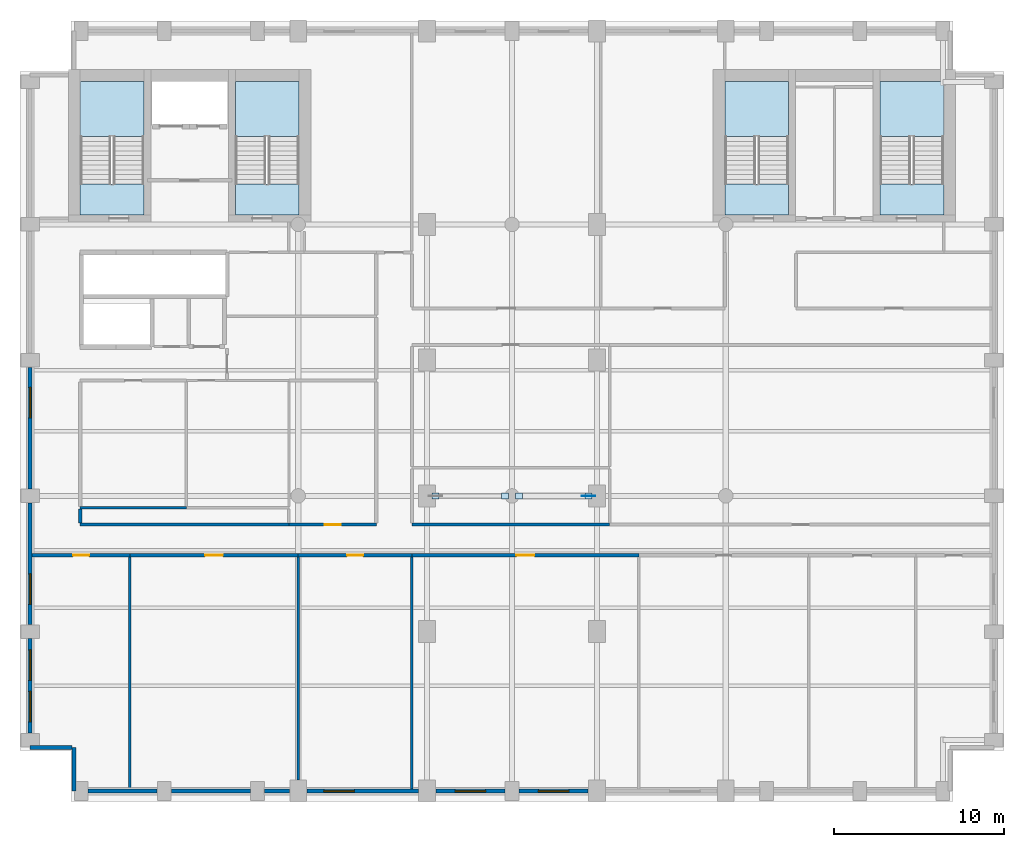
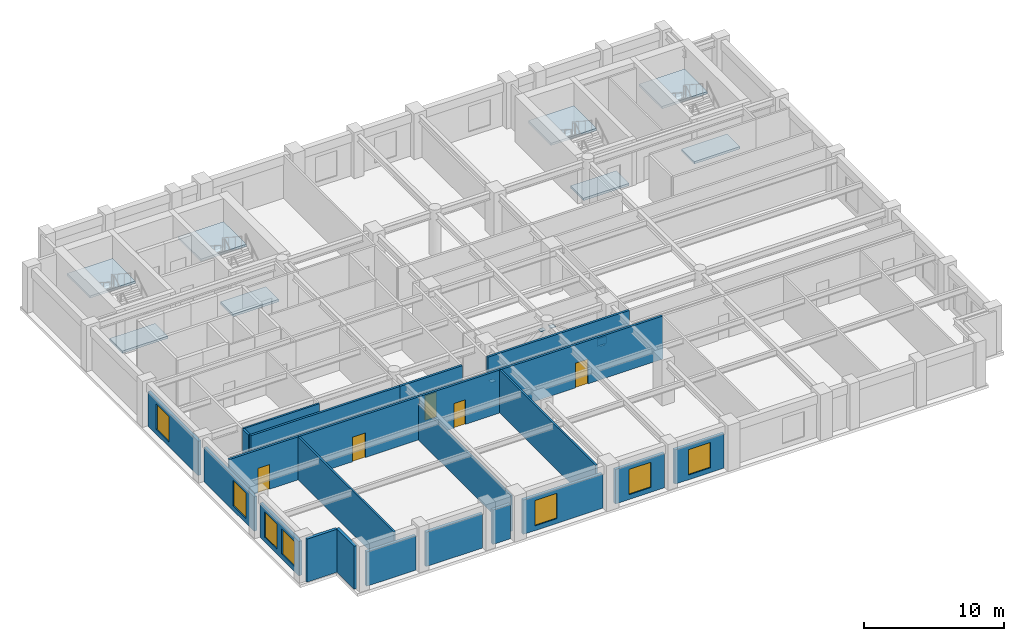
# One storey, part 4 of 10: 23 walls, 8 slabs, 7 windows, 5 doors, 5 plates, 12 openings, 4 elements without a shape of their own.
"""IFC4 building model written with IfcOpenShell, lengths in metres."""

from ifc_helpers import new_model, si_unit, direction, frame, frame_2d, origin, origin_2d, place, context, subcontext, project, spatial, polyline, rectangle, outline, extrude, material, layer, layer_set, type_object, element, fill, aggregate, save


model = new_model("IFC4")

# Units and contexts
model_context = context("Model", 3, precision=1e-05, world=origin(), true_north=direction((0.0, 1.0)))
body_context = subcontext(model_context, "Body", "Model", "MODEL_VIEW")
ifc_project = project(units=[si_unit("LENGTHUNIT", "METRE"), si_unit("AREAUNIT", "SQUARE_METRE"), si_unit("VOLUMEUNIT", "CUBIC_METRE"), si_unit("PLANEANGLEUNIT", "RADIAN"), si_unit("MASSUNIT", "GRAM", prefix="KILO")], contexts=[model_context])

# Site, building, storey
site_placement = place(None, origin())
site = spatial("IfcSite", under=ifc_project, at=site_placement, CompositionType="ELEMENT")
building_placement = place(site_placement, origin())
building = spatial("IfcBuilding", under=site, at=building_placement, Name="Sulina Concourse Tower", CompositionType="ELEMENT")
storey_placement = place(building_placement, frame((0.0, 0.0, 206.60009765625)))
storey = spatial("IfcBuildingStorey", under=building, at=storey_placement, Name="L50", CompositionType="ELEMENT", Elevation=206.60009765625)

# Slabs
ifc_material_1 = material(Name="Concrete C50/60", Category="concrete")
ifc_layer_1 = layer(ifc_material_1, 0.199951171875)
ifc_layer_set_1 = layer_set([ifc_layer_1], Name="Concrete C50/60")
slab_type = type_object("IfcSlabType", Name="Primary Core Stair Landing Slab 200mm", PredefinedType="LANDING", material=ifc_layer_set_1)
slab_1_placement = place(storey_placement, frame((0.0, 0.0, -0.2001953125)))
element("IfcSlab", 1, at=slab_1_placement, inside=storey, type_object=slab_type, Name="L50 ST-1 floor landing slab", PredefinedType="LANDING", context=body_context, shape_type="SweptSolid", body=[
    extrude(outline(polyline([(7.31005859375, 34.550048828125), (7.31005859375, 36.375), (3.550048828125, 36.375), (3.550048828125, 34.550048828125), (7.31005859375, 34.550048828125)])), origin(), (0.0, 0.0, 1.0), 0.2001953125),
])
slab_2_placement = place(storey_placement, frame((0.0, 0.0, -0.2001953125)))
element("IfcSlab", 2, at=slab_2_placement, inside=storey, type_object=slab_type, Name="L50 ST-2 floor landing slab", PredefinedType="LANDING", context=body_context, shape_type="SweptSolid", body=[
    extrude(outline(polyline([(16.449951171875, 34.550048828125), (16.449951171875, 36.375), (12.68994140625, 36.375), (12.68994140625, 34.550048828125), (16.449951171875, 34.550048828125)])), origin(), (0.0, 0.0, 1.0), 0.2001953125),
])
slab_3_placement = place(storey_placement, frame((0.0, 0.0, -0.2001953125)))
element("IfcSlab", 3, at=slab_3_placement, inside=storey, type_object=slab_type, Name="L50 ST-3 floor landing slab", PredefinedType="LANDING", context=body_context, shape_type="SweptSolid", body=[
    extrude(outline(polyline([(45.31005859375, 34.550048828125), (45.31005859375, 36.375), (41.550048828125, 36.375), (41.550048828125, 34.550048828125), (45.31005859375, 34.550048828125)])), origin(), (0.0, 0.0, 1.0), 0.2001953125),
])
slab_4_placement = place(storey_placement, frame((0.0, 0.0, -0.2001953125)))
element("IfcSlab", 4, at=slab_4_placement, inside=storey, type_object=slab_type, Name="L50 ST-4 floor landing slab", PredefinedType="LANDING", context=body_context, shape_type="SweptSolid", body=[
    extrude(outline(polyline([(54.449951171875, 34.550048828125), (54.449951171875, 36.375), (50.68994140625, 36.375), (50.68994140625, 34.550048828125), (54.449951171875, 34.550048828125)])), origin(), (0.0, 0.0, 1.0), 0.2001953125),
])

# Stair, slab
ifc_material_2 = material(Name="Concrete C50/60", Category="concrete")
stair_type_1 = type_object("IfcStairType", Name="Primary Core Dog-Leg Exit Stair 1800mm", PredefinedType="HALF_TURN_STAIR", material=ifc_material_2)
stair_1_placement = place(storey_placement, origin())
stair_1 = element("IfcStair", 5, at=stair_1_placement, inside=storey, type_object=stair_type_1, Name="L50 ST-1", PredefinedType="HALF_TURN_STAIR")
slab_5_placement = place(storey_placement, frame((0.0, 0.0, 1.7998046875)))
slab_5 = element("IfcSlab", 6, at=slab_5_placement, type_object=slab_type, Name="ST-1 landing 1", PredefinedType="LANDING", context=body_context, shape_type="SweptSolid", body=[
    extrude(outline(polyline([(7.304931640625, 39.175048828125), (7.304931640625, 42.425048828125), (3.554931640625, 42.425048828125), (3.554931640625, 39.175048828125), (7.304931640625, 39.175048828125)])), origin(), (0.0, 0.0, 1.0), 0.2001953125),
])
aggregate(stair_1, [slab_5])

stair_2_placement = place(storey_placement, origin())
stair_2 = element("IfcStair", 7, at=stair_2_placement, inside=storey, type_object=stair_type_1, Name="L50 ST-2", PredefinedType="HALF_TURN_STAIR")
slab_6_placement = place(storey_placement, frame((0.0, 0.0, 1.7998046875)))
slab_6 = element("IfcSlab", 8, at=slab_6_placement, type_object=slab_type, Name="ST-2 landing 1", PredefinedType="LANDING", context=body_context, shape_type="SweptSolid", body=[
    extrude(outline(polyline([(16.445068359375, 39.175048828125), (16.445068359375, 42.425048828125), (12.695068359375, 42.425048828125), (12.695068359375, 39.175048828125), (16.445068359375, 39.175048828125)])), origin(), (0.0, 0.0, 1.0), 0.2001953125),
])
aggregate(stair_2, [slab_6])

ifc_material_3 = material(Name="Concrete C50/60", Category="concrete")
stair_type_2 = type_object("IfcStairType", Name="Portal & Podium Core Exit Stair 1820mm", PredefinedType="HALF_TURN_STAIR", material=ifc_material_3)
stair_3_placement = place(storey_placement, origin())
stair_3 = element("IfcStair", 9, at=stair_3_placement, inside=storey, type_object=stair_type_2, Name="L50 ST-3", PredefinedType="HALF_TURN_STAIR")
slab_7_placement = place(storey_placement, frame((0.0, 0.0, 1.7998046875)))
slab_7 = element("IfcSlab", 10, at=slab_7_placement, type_object=slab_type, Name="ST-3 landing 1", PredefinedType="LANDING", context=body_context, shape_type="SweptSolid", body=[
    extrude(outline(polyline([(45.304931640625, 39.175048828125), (45.304931640625, 42.425048828125), (41.554931640625, 42.425048828125), (41.554931640625, 39.175048828125), (45.304931640625, 39.175048828125)])), origin(), (0.0, 0.0, 1.0), 0.2001953125),
])
aggregate(stair_3, [slab_7])

stair_4_placement = place(storey_placement, origin())
stair_4 = element("IfcStair", 11, at=stair_4_placement, inside=storey, type_object=stair_type_2, Name="L50 ST-4", PredefinedType="HALF_TURN_STAIR")
slab_8_placement = place(storey_placement, frame((0.0, 0.0, 1.7998046875)))
slab_8 = element("IfcSlab", 12, at=slab_8_placement, type_object=slab_type, Name="ST-4 landing 1", PredefinedType="LANDING", context=body_context, shape_type="SweptSolid", body=[
    extrude(outline(polyline([(54.445068359375, 39.175048828125), (54.445068359375, 42.425048828125), (50.695068359375, 42.425048828125), (50.695068359375, 39.175048828125), (54.445068359375, 39.175048828125)])), origin(), (0.0, 0.0, 1.0), 0.2001953125),
])
aggregate(stair_4, [slab_8])

# Plates
ifc_material_4 = material(Name="Steel S355", Category="steel")
ifc_layer_2 = layer(ifc_material_4, 0.0400390625)
ifc_layer_set_2 = layer_set([ifc_layer_2], Name="Steel S355")
plate_type_1 = type_object("IfcPlateType", Name="Upper Bridge Node Gusset Plate 40mm", PredefinedType="USERDEFINED", material=ifc_layer_set_2)
plate_placement = place(storey_placement, frame((33.510009765625, 18.0, 0.094970703125), z_axis=(0.0, 0.0, 1.0), x_axis=(1.0, 0.0, 0.0)))
element("IfcPlate", 13, at=plate_placement, inside=storey, type_object=plate_type_1, Name="UBT-DG-2-L50 node gusset plate", ObjectType="GUSSET_PLATE", PredefinedType="USERDEFINED", context=body_context, shape_type="SweptSolid", body=[
    extrude(rectangle(XDim=0.800048828125, YDim=0.0400390625, at=origin_2d()), origin(), (0.0, 0.0, 1.0), 0.64990234375),
])
ifc_material_5 = material(Name="Steel S355", Category="steel")
ifc_layer_3 = layer(ifc_material_5, 0.02001953125)
ifc_layer_set_3 = layer_set([ifc_layer_3], Name="Steel S355")
plate_type_2 = type_object("IfcPlateType", Name="Upper Hollow Brace End-Cap Plate 20mm", PredefinedType="USERDEFINED", material=ifc_layer_set_3)
for number, where, z_axis, x_axis, name in (
    (14, (24.489990234375, 18.0, 0.10986328125), (0.0, 0.0, 1.0), (1.0, 0.0, 0.0), "UBT-DG-1-L50 end cap plate 1"),
    (15, (28.5849609375, 18.0, 3.1298828125), (0.0, 0.0, 1.0), (1.0, 0.0, 0.0), "UBT-DG-1-L50 end cap plate 2"),
    (16, (33.510009765625, 18.0, 0.10986328125), (0.0, 0.0, 1.0), (1.0, 0.0, 0.0), "UBT-DG-2-L50 end cap plate 1"),
    (17, (29.4150390625, 18.0, 3.1298828125), (0.0, 0.0, 1.0), (1.0, 0.0, 0.0), "UBT-DG-2-L50 end cap plate 2"),
):
    element("IfcPlate", number, at=place(storey_placement, frame(where, z_axis=z_axis, x_axis=x_axis)), inside=storey, type_object=plate_type_2, Name=name, ObjectType="CAP_PLATE", PredefinedType="USERDEFINED", context=body_context, shape_type="SweptSolid", body=[
        extrude(rectangle(XDim=0.409912109375, YDim=0.360107421875, at=origin_2d()), origin(), (0.0, 0.0, 1.0), 0.02001953125),
    ])

# Walls
ifc_material_6 = material(Name="Precast concrete C50/60", Category="concrete")
ifc_layer_4 = layer(ifc_material_6, 0.239990234375)
ifc_layer_set_4 = layer_set([ifc_layer_4], Name="Precast concrete C50/60")
wall_type_1 = type_object("IfcWallType", Name="Crown Precast Masonry-Frame Facade Wall 240mm", PredefinedType="SOLIDWALL", material=ifc_layer_set_4)
wall_1_placement = place(storey_placement, frame((8.080078125, 0.60009765625, 0.0), z_axis=(0.0, 0.0, 1.0), x_axis=(-1.0, 0.0, 0.0)))
element("IfcWall", 18, at=wall_1_placement, inside=storey, type_object=wall_type_1, Name="L50 exterior precast wall S1", PredefinedType="SOLIDWALL", context=body_context, shape_type="SweptSolid", body=[
    extrude(rectangle(XDim=4.06005859375, YDim=0.239990234375, at=frame_2d((2.030029296875, 0.0))), origin(), (0.0, 0.0, 1.0), 3.0),
])
wall_2_placement = place(storey_placement, frame((13.580078125, 0.60009765625, 0.0), z_axis=(0.0, 0.0, 1.0), x_axis=(-1.0, 0.0, 0.0)))
element("IfcWall", 19, at=wall_2_placement, inside=storey, type_object=wall_type_1, Name="L50 exterior precast wall S2", PredefinedType="SOLIDWALL", context=body_context, shape_type="SweptSolid", body=[
    extrude(rectangle(XDim=4.66015625, YDim=0.239990234375, at=frame_2d((2.330078125, 0.0))), origin(), (0.0, 0.0, 1.0), 3.0),
])
wall_3_placement = place(storey_placement, frame((15.8798828125, 0.60009765625, 0.0), z_axis=(0.0, 0.0, 1.0), x_axis=(-1.0, 0.0, 0.0)))
element("IfcWall", 20, at=wall_3_placement, inside=storey, type_object=wall_type_1, Name="L50 exterior precast wall S3", PredefinedType="SOLIDWALL", context=body_context, shape_type="SweptSolid", body=[
    extrude(rectangle(XDim=1.4599609375, YDim=0.239990234375, at=frame_2d((0.72998046875, 0.0))), origin(), (0.0, 0.0, 1.0), 3.0),
])

# Wall, opening, window
wall_4_placement = place(storey_placement, frame((23.47998046875, 0.60009765625, 0.0), z_axis=(0.0, 0.0, 1.0), x_axis=(-1.0, 0.0, 0.0)))
wall_4 = element("IfcWall", 21, at=wall_4_placement, inside=storey, type_object=wall_type_1, Name="L50 exterior precast wall S4", PredefinedType="SOLIDWALL", context=body_context, shape_type="SweptSolid", body=[
    extrude(rectangle(XDim=6.56005859375, YDim=0.239990234375, at=frame_2d((3.280029296875, 0.0))), origin(), (0.0, 0.0, 1.0), 3.0),
])
opening_1_placement = place(wall_4_placement, frame((3.773193359375, 0.0, 0.419921875)))
opening_1 = element("IfcOpeningElement", 22, at=opening_1_placement, cuts=wall_4, Name="Opening WN-25", PredefinedType="OPENING", context=body_context, shape_type="SweptSolid", body=[
    extrude(rectangle(XDim=1.800048828125, YDim=2.199951171875, at=frame_2d((0.89990234375, 1.10009765625))), frame((0.0, 0.1298828125, 0.0), z_axis=(0.0, -1.0, 0.0), x_axis=(1.0, 0.0, 0.0)), (0.0, 0.0, 1.0), 0.260009765625),
])
ifc_material_7 = material(Name="Low-E solar double glazing in bronze aluminium", Category="aluminium")
window_type = type_object("IfcWindowType", Name="Punched Masonry-Frame Window 1800x2200", PartitioningType="SINGLE_PANEL", PredefinedType="WINDOW", material=ifc_material_7)
window_1_placement = place(opening_1_placement, origin())
window_1 = element("IfcWindow", 23, at=window_1_placement, inside=storey, type_object=window_type, Name="L50 punched window S4-1", OverallHeight=2.199951171875, OverallWidth=1.800048828125, PartitioningType="SINGLE_PANEL", PredefinedType="WINDOW", context=body_context, shape_type="SweptSolid", body=[
    extrude(rectangle(XDim=1.800048828125, YDim=2.199951171875, at=frame_2d((0.89990234375, 1.10009765625))), frame((0.0, 0.030029296875, 0.0), z_axis=(0.0, -1.0, 0.0), x_axis=(1.0, 0.0, 0.0)), (0.0, 0.0, 1.0), 0.06005859375),
])
fill(opening_1, window_1)

wall_5_placement = place(storey_placement, frame((28.580078125, 0.60009765625, 0.0), z_axis=(0.0, 0.0, 1.0), x_axis=(-1.0, 0.0, 0.0)))
wall_5 = element("IfcWall", 24, at=wall_5_placement, inside=storey, type_object=wall_type_1, Name="L50 exterior precast wall S5", PredefinedType="SOLIDWALL", context=body_context, shape_type="SweptSolid", body=[
    extrude(rectangle(XDim=4.06005859375, YDim=0.239990234375, at=frame_2d((2.030029296875, 0.0))), origin(), (0.0, 0.0, 1.0), 3.0),
])
opening_2_placement = place(wall_5_placement, frame((1.1298828125, 0.0, 0.419921875)))
opening_2 = element("IfcOpeningElement", 25, at=opening_2_placement, cuts=wall_5, Name="Opening WN-25", PredefinedType="OPENING", context=body_context, shape_type="SweptSolid", body=[
    extrude(rectangle(XDim=1.800048828125, YDim=2.199951171875, at=frame_2d((0.89990234375, 1.10009765625))), frame((0.0, 0.1298828125, 0.0), z_axis=(0.0, -1.0, 0.0), x_axis=(1.0, 0.0, 0.0)), (0.0, 0.0, 1.0), 0.260009765625),
])
window_2_placement = place(opening_2_placement, origin())
window_2 = element("IfcWindow", 26, at=window_2_placement, inside=storey, type_object=window_type, Name="L50 punched window S5-1", OverallHeight=2.199951171875, OverallWidth=1.800048828125, PartitioningType="SINGLE_PANEL", PredefinedType="WINDOW", context=body_context, shape_type="SweptSolid", body=[
    extrude(rectangle(XDim=1.800048828125, YDim=2.199951171875, at=frame_2d((0.89990234375, 1.10009765625))), frame((0.0, 0.030029296875, 0.0), z_axis=(0.0, -1.0, 0.0), x_axis=(1.0, 0.0, 0.0)), (0.0, 0.0, 1.0), 0.06005859375),
])
fill(opening_2, window_2)

wall_6_placement = place(storey_placement, frame((33.47998046875, 0.60009765625, 0.0), z_axis=(0.0, 0.0, 1.0), x_axis=(-1.0, 0.0, 0.0)))
wall_6 = element("IfcWall", 27, at=wall_6_placement, inside=storey, type_object=wall_type_1, Name="L50 exterior precast wall S6", PredefinedType="SOLIDWALL", context=body_context, shape_type="SweptSolid", body=[
    extrude(rectangle(XDim=4.06005859375, YDim=0.239990234375, at=frame_2d((2.030029296875, 0.0))), origin(), (0.0, 0.0, 1.0), 3.0),
])
opening_3_placement = place(wall_6_placement, frame((1.1298828125, 0.0, 0.419921875)))
opening_3 = element("IfcOpeningElement", 28, at=opening_3_placement, cuts=wall_6, Name="Opening WN-25", PredefinedType="OPENING", context=body_context, shape_type="SweptSolid", body=[
    extrude(rectangle(XDim=1.800048828125, YDim=2.199951171875, at=frame_2d((0.89990234375, 1.10009765625))), frame((0.0, 0.1298828125, 0.0), z_axis=(0.0, -1.0, 0.0), x_axis=(1.0, 0.0, 0.0)), (0.0, 0.0, 1.0), 0.260009765625),
])
window_3_placement = place(opening_3_placement, origin())
window_3 = element("IfcWindow", 29, at=window_3_placement, inside=storey, type_object=window_type, Name="L50 punched window S6-1", OverallHeight=2.199951171875, OverallWidth=1.800048828125, PartitioningType="SINGLE_PANEL", PredefinedType="WINDOW", context=body_context, shape_type="SweptSolid", body=[
    extrude(rectangle(XDim=1.800048828125, YDim=2.199951171875, at=frame_2d((0.89990234375, 1.10009765625))), frame((0.0, 0.030029296875, 0.0), z_axis=(0.0, -1.0, 0.0), x_axis=(1.0, 0.0, 0.0)), (0.0, 0.0, 1.0), 0.06005859375),
])
fill(opening_3, window_3)

# Wall, openings, windows
wall_7_placement = place(storey_placement, frame((0.60009765625, 4.02001953125, 0.0), z_axis=(0.0, 0.0, 1.0), x_axis=(0.0, 1.0, 0.0)))
wall_7 = element("IfcWall", 30, at=wall_7_placement, inside=storey, type_object=wall_type_1, Name="L50 exterior precast wall W1", PredefinedType="SOLIDWALL", context=body_context, shape_type="SweptSolid", body=[
    extrude(rectangle(XDim=5.56005859375, YDim=0.239990234375, at=frame_2d((2.780029296875, 0.0))), origin(), (0.0, 0.0, 1.0), 3.0),
])
opening_4_placement = place(wall_7_placement, frame((0.6533203125, 0.0, 0.419921875)))
opening_4 = element("IfcOpeningElement", 31, at=opening_4_placement, cuts=wall_7, Name="Opening WN-25", PredefinedType="OPENING", context=body_context, shape_type="SweptSolid", body=[
    extrude(rectangle(XDim=1.800048828125, YDim=2.199951171875, at=frame_2d((0.89990234375, 1.10009765625))), frame((0.0, 0.1298828125, 0.0), z_axis=(0.0, -1.0, 0.0), x_axis=(1.0, 0.0, 0.0)), (0.0, 0.0, 1.0), 0.260009765625),
])
opening_5_placement = place(wall_7_placement, frame((3.106689453125, 0.0, 0.419921875)))
opening_5 = element("IfcOpeningElement", 32, at=opening_5_placement, cuts=wall_7, Name="Opening WN-25", PredefinedType="OPENING", context=body_context, shape_type="SweptSolid", body=[
    extrude(rectangle(XDim=1.800048828125, YDim=2.199951171875, at=frame_2d((0.89990234375, 1.10009765625))), frame((0.0, 0.1298828125, 0.0), z_axis=(0.0, -1.0, 0.0), x_axis=(1.0, 0.0, 0.0)), (0.0, 0.0, 1.0), 0.260009765625),
])
window_4_placement = place(opening_4_placement, origin())
window_4 = element("IfcWindow", 33, at=window_4_placement, inside=storey, type_object=window_type, Name="L50 punched window W1-1", OverallHeight=2.199951171875, OverallWidth=1.800048828125, PartitioningType="SINGLE_PANEL", PredefinedType="WINDOW", context=body_context, shape_type="SweptSolid", body=[
    extrude(rectangle(XDim=1.800048828125, YDim=2.199951171875, at=frame_2d((0.89990234375, 1.10009765625))), frame((0.0, 0.030029296875, 0.0), z_axis=(0.0, -1.0, 0.0), x_axis=(1.0, 0.0, 0.0)), (0.0, 0.0, 1.0), 0.06005859375),
])
fill(opening_4, window_4)
window_5_placement = place(opening_5_placement, origin())
window_5 = element("IfcWindow", 34, at=window_5_placement, inside=storey, type_object=window_type, Name="L50 punched window W1-2", OverallHeight=2.199951171875, OverallWidth=1.800048828125, PartitioningType="SINGLE_PANEL", PredefinedType="WINDOW", context=body_context, shape_type="SweptSolid", body=[
    extrude(rectangle(XDim=1.800048828125, YDim=2.199951171875, at=frame_2d((0.89990234375, 1.10009765625))), frame((0.0, 0.030029296875, 0.0), z_axis=(0.0, -1.0, 0.0), x_axis=(1.0, 0.0, 0.0)), (0.0, 0.0, 1.0), 0.06005859375),
])
fill(opening_5, window_5)

# Wall, opening, window
wall_8_placement = place(storey_placement, frame((0.60009765625, 10.419921875, 0.0), z_axis=(0.0, 0.0, 1.0), x_axis=(0.0, 1.0, 0.0)))
wall_8 = element("IfcWall", 35, at=wall_8_placement, inside=storey, type_object=wall_type_1, Name="L50 exterior precast wall W2", PredefinedType="SOLIDWALL", context=body_context, shape_type="SweptSolid", body=[
    extrude(rectangle(XDim=7.16015625, YDim=0.239990234375, at=frame_2d((3.580078125, 0.0))), origin(), (0.0, 0.0, 1.0), 3.0),
])
opening_6_placement = place(wall_8_placement, frame((1.186767578125, 0.0, 0.419921875)))
opening_6 = element("IfcOpeningElement", 36, at=opening_6_placement, cuts=wall_8, Name="Opening WN-25", PredefinedType="OPENING", context=body_context, shape_type="SweptSolid", body=[
    extrude(rectangle(XDim=1.800048828125, YDim=2.199951171875, at=frame_2d((0.89990234375, 1.10009765625))), frame((0.0, 0.1298828125, 0.0), z_axis=(0.0, -1.0, 0.0), x_axis=(1.0, 0.0, 0.0)), (0.0, 0.0, 1.0), 0.260009765625),
])
window_6_placement = place(opening_6_placement, origin())
window_6 = element("IfcWindow", 37, at=window_6_placement, inside=storey, type_object=window_type, Name="L50 punched window W2-1", OverallHeight=2.199951171875, OverallWidth=1.800048828125, PartitioningType="SINGLE_PANEL", PredefinedType="WINDOW", context=body_context, shape_type="SweptSolid", body=[
    extrude(rectangle(XDim=1.800048828125, YDim=2.199951171875, at=frame_2d((0.89990234375, 1.10009765625))), frame((0.0, 0.030029296875, 0.0), z_axis=(0.0, -1.0, 0.0), x_axis=(1.0, 0.0, 0.0)), (0.0, 0.0, 1.0), 0.06005859375),
])
fill(opening_6, window_6)

wall_9_placement = place(storey_placement, frame((0.60009765625, 18.419921875, 0.0), z_axis=(0.0, 0.0, 1.0), x_axis=(0.0, 1.0, 0.0)))
wall_9 = element("IfcWall", 38, at=wall_9_placement, inside=storey, type_object=wall_type_1, Name="L50 exterior precast wall W3", PredefinedType="SOLIDWALL", context=body_context, shape_type="SweptSolid", body=[
    extrude(rectangle(XDim=7.16015625, YDim=0.239990234375, at=frame_2d((3.580078125, 0.0))), origin(), (0.0, 0.0, 1.0), 3.0),
])
opening_7_placement = place(wall_9_placement, frame((4.17333984375, 0.0, 0.419921875)))
opening_7 = element("IfcOpeningElement", 39, at=opening_7_placement, cuts=wall_9, Name="Opening WN-25", PredefinedType="OPENING", context=body_context, shape_type="SweptSolid", body=[
    extrude(rectangle(XDim=1.800048828125, YDim=2.199951171875, at=frame_2d((0.89990234375, 1.10009765625))), frame((0.0, 0.1298828125, 0.0), z_axis=(0.0, -1.0, 0.0), x_axis=(1.0, 0.0, 0.0)), (0.0, 0.0, 1.0), 0.260009765625),
])
window_7_placement = place(opening_7_placement, origin())
window_7 = element("IfcWindow", 40, at=window_7_placement, inside=storey, type_object=window_type, Name="L50 punched window W3-1", OverallHeight=2.199951171875, OverallWidth=1.800048828125, PartitioningType="SINGLE_PANEL", PredefinedType="WINDOW", context=body_context, shape_type="SweptSolid", body=[
    extrude(rectangle(XDim=1.800048828125, YDim=2.199951171875, at=frame_2d((0.89990234375, 1.10009765625))), frame((0.0, 0.030029296875, 0.0), z_axis=(0.0, -1.0, 0.0), x_axis=(1.0, 0.0, 0.0)), (0.0, 0.0, 1.0), 0.06005859375),
])
fill(opening_7, window_7)

# Walls
wall_10_placement = place(storey_placement, frame((3.179931640625, 0.60009765625, 0.0), z_axis=(0.0, 0.0, 1.0), x_axis=(0.0, 1.0, 0.0)))
element("IfcWall", 41, at=wall_10_placement, inside=storey, type_object=wall_type_1, Name="L50 exterior precast wall CSW1", PredefinedType="SOLIDWALL", context=body_context, shape_type="SweptSolid", body=[
    extrude(rectangle(XDim=2.579833984375, YDim=0.239990234375, at=frame_2d((1.2900390625, 0.0))), origin(), (0.0, 0.0, 1.0), 3.75),
])
wall_11_placement = place(storey_placement, frame((3.054931640625, 3.179931640625, 0.0), z_axis=(0.0, 0.0, 1.0), x_axis=(-1.0, 0.0, 0.0)))
element("IfcWall", 42, at=wall_11_placement, inside=storey, type_object=wall_type_1, Name="L50 exterior precast wall CSW2", PredefinedType="SOLIDWALL", context=body_context, shape_type="SweptSolid", body=[
    extrude(rectangle(XDim=2.454833984375, YDim=0.239990234375, at=frame_2d((1.2275390625, 0.0))), origin(), (0.0, 0.0, 1.0), 3.75),
])
ifc_material_8 = material(Name="Gypsum board on steel stud", Category="steel")
ifc_layer_5 = layer(ifc_material_8, 0.14990234375)
ifc_layer_set_5 = layer_set([ifc_layer_5], Name="Gypsum board on steel stud")
wall_type_2 = type_object("IfcWallType", Name="Inter-Tenancy Acoustic Partition 150mm", PredefinedType="PARTITIONING", material=ifc_layer_set_5)
wall_12_placement = place(storey_placement, frame((3.550048828125, 17.300048828125, 0.0), z_axis=(0.0, 0.0, 1.0), x_axis=(1.0, 0.0, 0.0)))
element("IfcWall", 43, at=wall_12_placement, inside=storey, type_object=wall_type_2, Name="L50 interior partition 012", PredefinedType="PARTITIONING", context=body_context, shape_type="SweptSolid", body=[
    extrude(rectangle(XDim=6.25, YDim=0.14990234375, at=frame_2d((3.125, 0.0))), origin(), (0.0, 0.0, 1.0), 3.75),
])
wall_13_placement = place(storey_placement, frame((6.47998046875, 0.719970703125, 0.0), z_axis=(0.0, 0.0, 1.0), x_axis=(0.0, 1.0, 0.0)))
element("IfcWall", 44, at=wall_13_placement, inside=storey, type_object=wall_type_2, Name="L50 interior partition 038", PredefinedType="PARTITIONING", context=body_context, shape_type="SweptSolid", body=[
    extrude(rectangle(XDim=13.68994140625, YDim=0.14990234375, at=frame_2d((6.844970703125, 0.0))), origin(), (0.0, 0.0, 1.0), 3.75),
])
wall_14_placement = place(storey_placement, frame((16.39990234375, 1.25, 0.0), z_axis=(0.0, 0.0, 1.0), x_axis=(0.0, 1.0, 0.0)))
element("IfcWall", 45, at=wall_14_placement, inside=storey, type_object=wall_type_2, Name="L50 interior partition 046", PredefinedType="PARTITIONING", context=body_context, shape_type="SweptSolid", body=[
    extrude(rectangle(XDim=13.159912109375, YDim=0.14990234375, at=frame_2d((6.580078125, 0.0))), origin(), (0.0, 0.0, 1.0), 3.14501953125),
])
wall_15_placement = place(storey_placement, frame((23.10009765625, 0.719970703125, 0.0), z_axis=(0.0, 0.0, 1.0), x_axis=(0.0, 1.0, 0.0)))
element("IfcWall", 46, at=wall_15_placement, inside=storey, type_object=wall_type_2, Name="L50 interior partition 051", PredefinedType="PARTITIONING", context=body_context, shape_type="SweptSolid", body=[
    extrude(rectangle(XDim=13.68994140625, YDim=0.14990234375, at=frame_2d((6.844970703125, 0.0))), origin(), (0.0, 0.0, 1.0), 3.75),
])

# Wall, opening, door
ifc_material_9 = material(Name="Gypsum board on steel stud", Category="steel")
ifc_layer_6 = layer(ifc_material_9, 0.179931640625)
ifc_layer_set_6 = layer_set([ifc_layer_6], Name="Gypsum board on steel stud")
wall_type_3 = type_object("IfcWallType", Name="Protected Corridor & Riser Partition 180mm", PredefinedType="PARTITIONING", material=ifc_layer_set_6)
wall_16_placement = place(storey_placement, frame((0.719970703125, 14.5, 0.0), z_axis=(0.0, 0.0, 1.0), x_axis=(1.0, 0.0, 0.0)))
wall_16 = element("IfcWall", 47, at=wall_16_placement, inside=storey, type_object=wall_type_3, Name="L50 interior partition 001", PredefinedType="PARTITIONING", context=body_context, shape_type="SweptSolid", body=[
    extrude(rectangle(XDim=5.760009765625, YDim=0.179931640625, at=frame_2d((2.8798828125, 0.0))), origin(), (0.0, 0.0, 1.0), 3.75),
])
opening_8_placement = place(wall_16_placement, frame((2.405029296875, 0.0, 0.0)))
opening_8 = element("IfcOpeningElement", 48, at=opening_8_placement, cuts=wall_16, Name="Opening DR-19", PredefinedType="OPENING", context=body_context, shape_type="SweptSolid", body=[
    extrude(rectangle(XDim=0.949951171875, YDim=2.14990234375, at=frame_2d((0.47509765625, 1.074951171875))), frame((0.0, 0.099853515625, 0.0), z_axis=(0.0, -1.0, 0.0), x_axis=(1.0, 0.0, 0.0)), (0.0, 0.0, 1.0), 0.199951171875),
])
ifc_material_10 = material(Name="Oak-veneered acoustic timber leaf", Category="wood")
ifc_layer_7 = layer(ifc_material_10, 0.050048828125)
ifc_layer_set_7 = layer_set([ifc_layer_7], Name="Oak-veneered acoustic timber leaf")
door_type_1 = type_object("IfcDoorType", Name="Cellular Office & Meeting Door 950x2150", OperationType="NOTDEFINED", PredefinedType="DOOR", material=ifc_layer_set_7)
door_1_placement = place(opening_8_placement, origin())
door_1 = element("IfcDoor", 49, at=door_1_placement, inside=storey, type_object=door_type_1, Name="L50 interior door L50-S01", OperationType="SINGLE_SWING_LEFT", OverallHeight=2.14990234375, OverallWidth=0.949951171875, PredefinedType="DOOR", context=body_context, shape_type="SweptSolid", body=[
    extrude(rectangle(XDim=0.949951171875, YDim=2.14990234375, at=frame_2d((0.47509765625, 1.074951171875))), frame((0.0, 0.02490234375, 0.0), z_axis=(0.0, -1.0, 0.0), x_axis=(1.0, 0.0, 0.0)), (0.0, 0.0, 1.0), 0.050048828125),
])
fill(opening_8, door_1)

wall_17_placement = place(storey_placement, frame((6.47998046875, 14.5, 0.0), z_axis=(0.0, 0.0, 1.0), x_axis=(1.0, 0.0, 0.0)))
wall_17 = element("IfcWall", 50, at=wall_17_placement, inside=storey, type_object=wall_type_3, Name="L50 interior partition 002", PredefinedType="PARTITIONING", context=body_context, shape_type="SweptSolid", body=[
    extrude(rectangle(XDim=9.919921875, YDim=0.179931640625, at=frame_2d((4.9599609375, 0.0))), origin(), (0.0, 0.0, 1.0), 3.75),
])
opening_9_placement = place(wall_17_placement, frame((4.43505859375, 0.0, 0.0)))
opening_9 = element("IfcOpeningElement", 51, at=opening_9_placement, cuts=wall_17, Name="Opening DR-37", PredefinedType="OPENING", context=body_context, shape_type="SweptSolid", body=[
    extrude(rectangle(XDim=1.050048828125, YDim=2.14990234375, at=frame_2d((0.52490234375, 1.074951171875))), frame((0.0, 0.099853515625, 0.0), z_axis=(0.0, -1.0, 0.0), x_axis=(1.0, 0.0, 0.0)), (0.0, 0.0, 1.0), 0.199951171875),
])
ifc_material_11 = material(Name="Oak-veneered fire door leaf")
ifc_layer_8 = layer(ifc_material_11, 0.050048828125)
ifc_layer_set_8 = layer_set([ifc_layer_8], Name="Oak-veneered fire door leaf")
door_type_2 = type_object("IfcDoorType", Name="Tenant Suite Entrance Fire Door 1050x2150", OperationType="NOTDEFINED", PredefinedType="DOOR", material=ifc_layer_set_8)
door_2_placement = place(opening_9_placement, origin())
door_2 = element("IfcDoor", 52, at=door_2_placement, inside=storey, type_object=door_type_2, Name="L50 interior door L50-S02", OperationType="SINGLE_SWING_RIGHT", OverallHeight=2.14990234375, OverallWidth=1.050048828125, PredefinedType="DOOR", context=body_context, shape_type="SweptSolid", body=[
    extrude(rectangle(XDim=1.050048828125, YDim=2.14990234375, at=frame_2d((0.52490234375, 1.074951171875))), frame((0.0, 0.02490234375, 0.0), z_axis=(0.0, -1.0, 0.0), x_axis=(1.0, 0.0, 0.0)), (0.0, 0.0, 1.0), 0.050048828125),
])
fill(opening_9, door_2)

wall_18_placement = place(storey_placement, frame((16.39990234375, 14.5, 0.0), z_axis=(0.0, 0.0, 1.0), x_axis=(1.0, 0.0, 0.0)))
wall_18 = element("IfcWall", 53, at=wall_18_placement, inside=storey, type_object=wall_type_3, Name="L50 interior partition 003", PredefinedType="PARTITIONING", context=body_context, shape_type="SweptSolid", body=[
    extrude(rectangle(XDim=6.7001953125, YDim=0.179931640625, at=frame_2d((3.35009765625, 0.0))), origin(), (0.0, 0.0, 1.0), 3.75),
])
opening_10_placement = place(wall_18_placement, frame((2.875, 0.0, 0.0)))
opening_10 = element("IfcOpeningElement", 54, at=opening_10_placement, cuts=wall_18, Name="Opening DR-19", PredefinedType="OPENING", context=body_context, shape_type="SweptSolid", body=[
    extrude(rectangle(XDim=0.949951171875, YDim=2.14990234375, at=frame_2d((0.47509765625, 1.074951171875))), frame((0.0, 0.099853515625, 0.0), z_axis=(0.0, -1.0, 0.0), x_axis=(1.0, 0.0, 0.0)), (0.0, 0.0, 1.0), 0.199951171875),
])
door_3_placement = place(opening_10_placement, origin())
door_3 = element("IfcDoor", 55, at=door_3_placement, inside=storey, type_object=door_type_1, Name="L50 interior door L50-S03", OperationType="SINGLE_SWING_LEFT", OverallHeight=2.14990234375, OverallWidth=0.949951171875, PredefinedType="DOOR", context=body_context, shape_type="SweptSolid", body=[
    extrude(rectangle(XDim=0.949951171875, YDim=2.14990234375, at=frame_2d((0.47509765625, 1.074951171875))), frame((0.0, 0.02490234375, 0.0), z_axis=(0.0, -1.0, 0.0), x_axis=(1.0, 0.0, 0.0)), (0.0, 0.0, 1.0), 0.050048828125),
])
fill(opening_10, door_3)

wall_19_placement = place(storey_placement, frame((23.10009765625, 14.5, 0.0), z_axis=(0.0, 0.0, 1.0), x_axis=(1.0, 0.0, 0.0)))
wall_19 = element("IfcWall", 56, at=wall_19_placement, inside=storey, type_object=wall_type_3, Name="L50 interior partition 004", PredefinedType="PARTITIONING", context=body_context, shape_type="SweptSolid", body=[
    extrude(rectangle(XDim=13.3798828125, YDim=0.179931640625, at=frame_2d((6.68994140625, 0.0))), origin(), (0.0, 0.0, 1.0), 3.75),
])
opening_11_placement = place(wall_19_placement, frame((6.1650390625, 0.0, 0.0)))
opening_11 = element("IfcOpeningElement", 57, at=opening_11_placement, cuts=wall_19, Name="Opening DR-37", PredefinedType="OPENING", context=body_context, shape_type="SweptSolid", body=[
    extrude(rectangle(XDim=1.050048828125, YDim=2.14990234375, at=frame_2d((0.52490234375, 1.074951171875))), frame((0.0, 0.099853515625, 0.0), z_axis=(0.0, -1.0, 0.0), x_axis=(1.0, 0.0, 0.0)), (0.0, 0.0, 1.0), 0.199951171875),
])
door_4_placement = place(opening_11_placement, origin())
door_4 = element("IfcDoor", 58, at=door_4_placement, inside=storey, type_object=door_type_2, Name="L50 interior door L50-S04", OperationType="SINGLE_SWING_RIGHT", OverallHeight=2.14990234375, OverallWidth=1.050048828125, PredefinedType="DOOR", context=body_context, shape_type="SweptSolid", body=[
    extrude(rectangle(XDim=1.050048828125, YDim=2.14990234375, at=frame_2d((0.52490234375, 1.074951171875))), frame((0.0, 0.02490234375, 0.0), z_axis=(0.0, -1.0, 0.0), x_axis=(1.0, 0.0, 0.0)), (0.0, 0.0, 1.0), 0.050048828125),
])
fill(opening_11, door_4)

# Wall
wall_20_placement = place(storey_placement, frame((3.550048828125, 16.300048828125, 0.0), z_axis=(0.0, 0.0, 1.0), x_axis=(1.0, 0.0, 0.0)))
element("IfcWall", 59, at=wall_20_placement, inside=storey, type_object=wall_type_3, Name="L50 interior partition 008", PredefinedType="PARTITIONING", context=body_context, shape_type="SweptSolid", body=[
    extrude(rectangle(XDim=12.300048828125, YDim=0.179931640625, at=frame_2d((6.14990234375, 0.0))), origin(), (0.0, 0.0, 1.0), 3.75),
])

# Wall, opening, door
wall_21_placement = place(storey_placement, frame((15.85009765625, 16.300048828125, 0.0), z_axis=(0.0, 0.0, 1.0), x_axis=(1.0, 0.0, 0.0)))
wall_21 = element("IfcWall", 60, at=wall_21_placement, inside=storey, type_object=wall_type_3, Name="L50 interior partition 009", PredefinedType="PARTITIONING", context=body_context, shape_type="SweptSolid", body=[
    extrude(rectangle(XDim=5.14990234375, YDim=0.179931640625, at=frame_2d((2.574951171875, 0.0))), origin(), (0.0, 0.0, 1.0), 3.75),
])
opening_12_placement = place(wall_21_placement, frame((2.10009765625, 0.0, 0.0)))
opening_12 = element("IfcOpeningElement", 61, at=opening_12_placement, cuts=wall_21, Name="Opening DR-19", PredefinedType="OPENING", context=body_context, shape_type="SweptSolid", body=[
    extrude(rectangle(XDim=0.949951171875, YDim=2.14990234375, at=frame_2d((0.47509765625, 1.074951171875))), frame((0.0, 0.099853515625, 0.0), z_axis=(0.0, -1.0, 0.0), x_axis=(1.0, 0.0, 0.0)), (0.0, 0.0, 1.0), 0.199951171875),
])
door_5_placement = place(opening_12_placement, origin())
door_5 = element("IfcDoor", 62, at=door_5_placement, inside=storey, type_object=door_type_1, Name="L50 interior door L50-NZ-PKW", OperationType="SINGLE_SWING_RIGHT", OverallHeight=2.14990234375, OverallWidth=0.949951171875, PredefinedType="DOOR", context=body_context, shape_type="SweptSolid", body=[
    extrude(rectangle(XDim=0.949951171875, YDim=2.14990234375, at=frame_2d((0.47509765625, 1.074951171875))), frame((0.0, 0.02490234375, 0.0), z_axis=(0.0, -1.0, 0.0), x_axis=(1.0, 0.0, 0.0)), (0.0, 0.0, 1.0), 0.050048828125),
])
fill(opening_12, door_5)

# Walls
wall_22_placement = place(storey_placement, frame((23.10009765625, 16.300048828125, 0.0), z_axis=(0.0, 0.0, 1.0), x_axis=(1.0, 0.0, 0.0)))
element("IfcWall", 63, at=wall_22_placement, inside=storey, type_object=wall_type_3, Name="L50 interior partition 010", PredefinedType="PARTITIONING", context=body_context, shape_type="SweptSolid", body=[
    extrude(rectangle(XDim=11.64990234375, YDim=0.179931640625, at=frame_2d((5.824951171875, 0.0))), origin(), (0.0, 0.0, 1.0), 3.75),
])
wall_23_placement = place(storey_placement, frame((3.550048828125, 16.389892578125, 0.0), z_axis=(0.0, 0.0, 1.0), x_axis=(0.0, 1.0, 0.0)))
element("IfcWall", 64, at=wall_23_placement, inside=storey, type_object=wall_type_3, Name="L50 interior partition 036", PredefinedType="PARTITIONING", context=body_context, shape_type="SweptSolid", body=[
    extrude(rectangle(XDim=0.835205078125, YDim=0.179931640625, at=frame_2d((0.41748046875, 0.0))), origin(), (0.0, 0.0, 1.0), 3.75),
])

save(model, "model.ifc")
